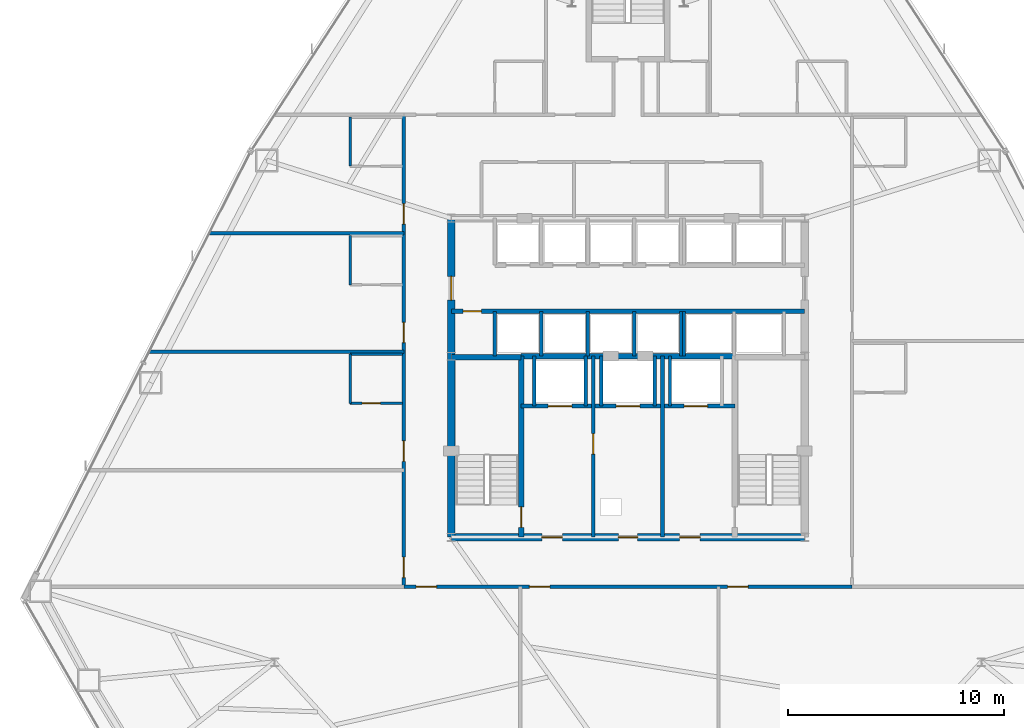
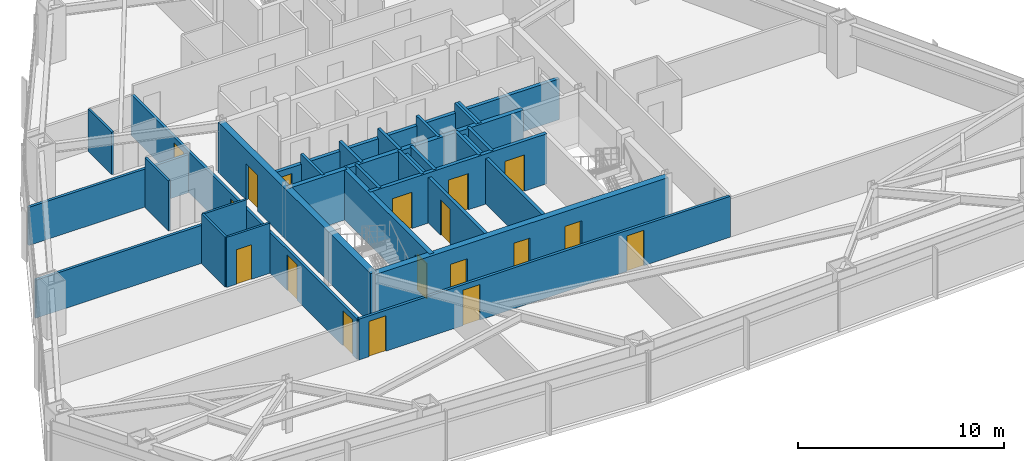
# One storey, part 9 of 12: 29 walls, 18 doors, 18 openings.
"""IFC4 building model written with IfcOpenShell, lengths in metres."""

from ifc_helpers import new_model, si_unit, direction, frame, frame_2d, origin, place, context, subcontext, project, spatial, rectangle, extrude, material, layer, layer_set, type_object, element, fill, save


model = new_model("IFC4")

# Units and contexts
model_context = context("Model", 3, precision=1e-05, world=origin(), true_north=direction((0.0, 1.0)))
body_context = subcontext(model_context, "Body", "Model", "MODEL_VIEW")
ifc_project = project(units=[si_unit("LENGTHUNIT", "METRE"), si_unit("AREAUNIT", "SQUARE_METRE"), si_unit("VOLUMEUNIT", "CUBIC_METRE"), si_unit("PLANEANGLEUNIT", "RADIAN"), si_unit("MASSUNIT", "GRAM", prefix="KILO")], contexts=[model_context])

# Site, building, storey
site_placement = place(None, origin())
site = spatial("IfcSite", under=ifc_project, at=site_placement, CompositionType="ELEMENT")
building_placement = place(site_placement, origin())
building = spatial("IfcBuilding", under=site, at=building_placement, Name="Varakhsha Concourse Tower", CompositionType="ELEMENT")
storey_placement = place(building_placement, frame((0.0, 0.0, 73.39990234375)))
storey = spatial("IfcBuildingStorey", under=building, at=storey_placement, Name="L20", CompositionType="ELEMENT", Elevation=73.39990234375)

# Wall, openings, doors
ifc_material_1 = material(Name="Concrete fc 65 MPa", Category="concrete")
ifc_layer_1 = layer(ifc_material_1, 0.35009765625, Name="WL-CORE-350")
ifc_layer_set_1 = layer_set([ifc_layer_1], Name="Concrete fc 65 MPa")
wall_type_1 = type_object("IfcWallType", Name="WL-CORE-350", PredefinedType="SHEAR", material=ifc_layer_set_1)
wall_1_placement = place(storey_placement, frame((31.800048828125, 16.39990234375, 0.0), z_axis=(0.0, 0.0, 1.0), x_axis=(1.0, 0.0, 0.0)))
wall_1 = element("IfcWall", 1, at=wall_1_placement, inside=storey, type_object=wall_type_1, Name="L20 Wall CWALL-S-L20", PredefinedType="SHEAR", context=body_context, shape_type="SweptSolid", body=[
    extrude(rectangle(XDim=16.39990234375, YDim=0.35009765625, at=frame_2d((8.199951171875, 0.0))), origin(), (0.0, 0.0, 1.0), 2.97021484375),
])
opening_1_placement = place(wall_1_placement, frame((7.75, 0.0, 0.0)))
opening_1 = element("IfcOpeningElement", 2, at=opening_1_placement, cuts=wall_1, Name="Opening DF-06", PredefinedType="OPENING", context=body_context, shape_type="SweptSolid", body=[
    extrude(rectangle(XDim=0.89990234375, YDim=2.10009765625, at=frame_2d((0.449951171875, 1.050048828125))), frame((0.0, 0.18505859375, 0.0), z_axis=(0.0, -1.0, 0.0), x_axis=(1.0, 0.0, 0.0)), (0.0, 0.0, 1.0), 0.3701171875),
])
opening_2_placement = place(wall_1_placement, frame((4.199951171875, 0.0, 0.0)))
opening_2 = element("IfcOpeningElement", 3, at=opening_2_placement, cuts=wall_1, Name="Opening DF-05", PredefinedType="OPENING", context=body_context, shape_type="SweptSolid", body=[
    extrude(rectangle(XDim=0.949951171875, YDim=2.10009765625, at=frame_2d((0.47509765625, 1.050048828125))), frame((0.0, 0.18505859375, 0.0), z_axis=(0.0, -1.0, 0.0), x_axis=(1.0, 0.0, 0.0)), (0.0, 0.0, 1.0), 0.3701171875),
])
opening_3_placement = place(wall_1_placement, frame((10.60009765625, 0.0, 0.0)))
opening_3 = element("IfcOpeningElement", 4, at=opening_3_placement, cuts=wall_1, Name="Opening DF-05", PredefinedType="OPENING", context=body_context, shape_type="SweptSolid", body=[
    extrude(rectangle(XDim=0.949951171875, YDim=2.10009765625, at=frame_2d((0.47509765625, 1.050048828125))), frame((0.0, 0.18505859375, 0.0), z_axis=(0.0, -1.0, 0.0), x_axis=(1.0, 0.0, 0.0)), (0.0, 0.0, 1.0), 0.3701171875),
])
ifc_material_2 = material(Name="Hollow Galvanised Steel Fire Door Assembly", Category="steel")
door_type_1 = type_object("IfcDoorType", Name="DR-FD60-900", OperationType="NOTDEFINED", PredefinedType="DOOR", material=ifc_material_2)
door_1_placement = place(opening_1_placement, origin())
door_1 = element("IfcDoor", 5, at=door_1_placement, inside=storey, type_object=door_type_1, Name="L20 Service Riser Vestibule Door", OperationType="SINGLE_SWING_LEFT", OverallHeight=2.10009765625, OverallWidth=0.89990234375, PredefinedType="DOOR", context=body_context, shape_type="SweptSolid", body=[
    extrude(rectangle(XDim=0.89990234375, YDim=2.10009765625, at=frame_2d((0.449951171875, 1.050048828125))), frame((0.0, 0.02490234375, 0.0), z_axis=(0.0, -1.0, 0.0), x_axis=(1.0, 0.0, 0.0)), (0.0, 0.0, 1.0), 0.050048828125),
])
fill(opening_1, door_1)
door_type_2 = type_object("IfcDoorType", Name="DR-FD60-950", OperationType="NOTDEFINED", PredefinedType="DOOR", material=ifc_material_2)
door_2_placement = place(opening_2_placement, origin())
door_2 = element("IfcDoor", 6, at=door_2_placement, inside=storey, type_object=door_type_2, Name="L20 Firefighting Lobby West Door", OperationType="SINGLE_SWING_RIGHT", OverallHeight=2.10009765625, OverallWidth=0.949951171875, PredefinedType="DOOR", context=body_context, shape_type="SweptSolid", body=[
    extrude(rectangle(XDim=0.949951171875, YDim=2.10009765625, at=frame_2d((0.47509765625, 1.050048828125))), frame((0.0, 0.02490234375, 0.0), z_axis=(0.0, -1.0, 0.0), x_axis=(1.0, 0.0, 0.0)), (0.0, 0.0, 1.0), 0.050048828125),
])
fill(opening_2, door_2)
door_3_placement = place(opening_3_placement, origin())
door_3 = element("IfcDoor", 7, at=door_3_placement, inside=storey, type_object=door_type_2, Name="L20 Firefighting Lobby East Door", OperationType="SINGLE_SWING_LEFT", OverallHeight=2.10009765625, OverallWidth=0.949951171875, PredefinedType="DOOR", context=body_context, shape_type="SweptSolid", body=[
    extrude(rectangle(XDim=0.949951171875, YDim=2.10009765625, at=frame_2d((0.47509765625, 1.050048828125))), frame((0.0, 0.02490234375, 0.0), z_axis=(0.0, -1.0, 0.0), x_axis=(1.0, 0.0, 0.0)), (0.0, 0.0, 1.0), 0.050048828125),
])
fill(opening_3, door_3)

# Wall, opening, door
wall_2_placement = place(storey_placement, frame((31.800048828125, 16.39990234375, 0.0), z_axis=(0.0, 0.0, 1.0), x_axis=(0.0, 1.0, 0.0)))
wall_2 = element("IfcWall", 8, at=wall_2_placement, inside=storey, type_object=wall_type_1, Name="L20 Wall CWALL-W-L20", PredefinedType="SHEAR", context=body_context, shape_type="SweptSolid", body=[
    extrude(rectangle(XDim=14.800048828125, YDim=0.35009765625, at=frame_2d((7.39990234375, 0.0))), origin(), (0.0, 0.0, 1.0), 2.97021484375),
])
opening_4_placement = place(wall_2_placement, frame((11.0, 0.0, 0.0)))
opening_4 = element("IfcOpeningElement", 9, at=opening_4_placement, cuts=wall_2, Name="Opening DL-01", PredefinedType="OPENING", context=body_context, shape_type="SweptSolid", body=[
    extrude(rectangle(XDim=1.10009765625, YDim=2.14990234375, at=frame_2d((0.550048828125, 1.074951171875))), frame((0.0, 0.18505859375, 0.0), z_axis=(0.0, -1.0, 0.0), x_axis=(1.0, 0.0, 0.0)), (0.0, 0.0, 1.0), 0.3701171875),
])
ifc_material_3 = material(Name="Anodised Bronze Architectural Aluminium AA 6063-T6", Category="aluminium")
door_type_3 = type_object("IfcDoorType", Name="DR-LOB-1100", OperationType="NOTDEFINED", PredefinedType="DOOR", material=ifc_material_3)
door_4_placement = place(opening_4_placement, origin())
door_4 = element("IfcDoor", 10, at=door_4_placement, inside=storey, type_object=door_type_3, Name="L20 Lift Lobby West Concourse Door", OperationType="SINGLE_SWING_LEFT", OverallHeight=2.14990234375, OverallWidth=1.10009765625, PredefinedType="DOOR", context=body_context, shape_type="SweptSolid", body=[
    extrude(rectangle(XDim=1.10009765625, YDim=2.14990234375, at=frame_2d((0.550048828125, 1.074951171875))), frame((0.0, 0.02490234375, 0.0), z_axis=(0.0, -1.0, 0.0), x_axis=(1.0, 0.0, 0.0)), (0.0, 0.0, 1.0), 0.050048828125),
])
fill(opening_4, door_4)

ifc_material_4 = material(Name="Fire-Rated Type X Gypsum Partition Assembly", Category="gypsum")
ifc_layer_2 = layer(ifc_material_4, 0.179931640625, Name="WL-FFLOB-180")
ifc_layer_set_2 = layer_set([ifc_layer_2], Name="Fire-Rated Type X Gypsum Partition Assembly")
wall_type_2 = type_object("IfcWallType", Name="WL-FFLOB-180", PredefinedType="PARTITIONING", material=ifc_layer_set_2)
wall_3_placement = place(storey_placement, frame((38.389892578125, 16.39990234375, 0.0), z_axis=(0.0, 0.0, 1.0), x_axis=(0.0, 1.0, 0.0)))
wall_3 = element("IfcWall", 11, at=wall_3_placement, inside=storey, type_object=wall_type_2, Name="L20 Wall FFW-1E-L20", PredefinedType="PARTITIONING", context=body_context, shape_type="SweptSolid", body=[
    extrude(rectangle(XDim=8.400146484375, YDim=0.179931640625, at=frame_2d((4.2001953125, 0.0))), origin(), (0.0, 0.0, 1.0), 2.697998046875),
])
opening_5_placement = place(wall_3_placement, frame((3.85009765625, 0.0, 0.0)))
opening_5 = element("IfcOpeningElement", 12, at=opening_5_placement, cuts=wall_3, Name="Opening DF-05", PredefinedType="OPENING", context=body_context, shape_type="SweptSolid", body=[
    extrude(rectangle(XDim=0.949951171875, YDim=2.10009765625, at=frame_2d((0.47509765625, 1.050048828125))), frame((0.0, 0.099853515625, 0.0), z_axis=(0.0, -1.0, 0.0), x_axis=(1.0, 0.0, 0.0)), (0.0, 0.0, 1.0), 0.199951171875),
])
door_5_placement = place(opening_5_placement, origin())
door_5 = element("IfcDoor", 13, at=door_5_placement, inside=storey, type_object=door_type_2, Name="L20 Service Vestibule Door", OperationType="SINGLE_SWING_RIGHT", OverallHeight=2.10009765625, OverallWidth=0.949951171875, PredefinedType="DOOR", context=body_context, shape_type="SweptSolid", body=[
    extrude(rectangle(XDim=0.949951171875, YDim=2.10009765625, at=frame_2d((0.47509765625, 1.050048828125))), frame((0.0, 0.02490234375, 0.0), z_axis=(0.0, -1.0, 0.0), x_axis=(1.0, 0.0, 0.0)), (0.0, 0.0, 1.0), 0.050048828125),
])
fill(opening_5, door_5)

# Walls
wall_4_placement = place(storey_placement, frame((41.610107421875, 16.39990234375, 0.0), z_axis=(0.0, 0.0, 1.0), x_axis=(0.0, 1.0, 0.0)))
element("IfcWall", 14, at=wall_4_placement, inside=storey, type_object=wall_type_2, Name="L20 Wall FFW-2W-L20", PredefinedType="PARTITIONING", context=body_context, shape_type="SweptSolid", body=[
    extrude(rectangle(XDim=8.400146484375, YDim=0.179931640625, at=frame_2d((4.2001953125, 0.0))), origin(), (0.0, 0.0, 1.0), 2.697998046875),
])
ifc_material_5 = material(Name="Acoustic Gypsum Board Partition Assembly", Category="gypsum")
ifc_layer_3 = layer(ifc_material_5, 0.1201171875, Name="WL-PART-120")
ifc_layer_set_3 = layer_set([ifc_layer_3], Name="Acoustic Gypsum Board Partition Assembly")
wall_type_3 = type_object("IfcWallType", Name="WL-PART-120", PredefinedType="PARTITIONING", material=ifc_layer_set_3)
wall_5_placement = place(storey_placement, frame((27.110107421875, 22.610107421875, 0.0), z_axis=(0.0, 0.0, 1.0), x_axis=(0.0, 1.0, 0.0)))
element("IfcWall", 15, at=wall_5_placement, inside=storey, type_object=wall_type_3, Name="L20 Wall ENSW-W-L20-H05", PredefinedType="PARTITIONING", context=body_context, shape_type="SweptSolid", body=[
    extrude(rectangle(XDim=2.27978515625, YDim=0.1201171875, at=frame_2d((1.139892578125, 0.0))), origin(), (0.0, 0.0, 1.0), 2.97021484375),
])

# Wall, opening, door
wall_6_placement = place(storey_placement, frame((27.110107421875, 22.610107421875, 0.0), z_axis=(0.0, 0.0, 1.0), x_axis=(1.0, 0.0, 0.0)))
wall_6 = element("IfcWall", 16, at=wall_6_placement, inside=storey, type_object=wall_type_3, Name="L20 Wall ENSW-S-L20-H05", PredefinedType="PARTITIONING", context=body_context, shape_type="SweptSolid", body=[
    extrude(rectangle(XDim=2.429931640625, YDim=0.1201171875, at=frame_2d((1.21484375, 0.0))), origin(), (0.0, 0.0, 1.0), 2.97021484375),
])
opening_6_placement = place(wall_6_placement, frame((0.550048828125, 0.0, 0.0)))
opening_6 = element("IfcOpeningElement", 17, at=opening_6_placement, cuts=wall_6, Name="Opening DI-01", PredefinedType="OPENING", context=body_context, shape_type="SweptSolid", body=[
    extrude(rectangle(XDim=0.85009765625, YDim=2.050048828125, at=frame_2d((0.425048828125, 1.02490234375))), frame((0.0, 0.070068359375, 0.0), z_axis=(0.0, -1.0, 0.0), x_axis=(1.0, 0.0, 0.0)), (0.0, 0.0, 1.0), 0.14013671875),
])
ifc_material_6 = material(Name="Architectural Walnut Acoustic Timber Door", Category="wood")
door_type_4 = type_object("IfcDoorType", Name="DR-INT-850", OperationType="NOTDEFINED", PredefinedType="DOOR", material=ifc_material_6)
door_6_placement = place(opening_6_placement, origin())
door_6 = element("IfcDoor", 18, at=door_6_placement, inside=storey, type_object=door_type_4, Name="L20 En-suite Bathroom Door L20-H05", OperationType="SINGLE_SWING_RIGHT", OverallHeight=2.050048828125, OverallWidth=0.85009765625, PredefinedType="DOOR", context=body_context, shape_type="SweptSolid", body=[
    extrude(rectangle(XDim=0.85009765625, YDim=2.050048828125, at=frame_2d((0.425048828125, 1.02490234375))), frame((0.0, 0.02490234375, 0.0), z_axis=(0.0, -1.0, 0.0), x_axis=(1.0, 0.0, 0.0)), (0.0, 0.0, 1.0), 0.050048828125),
])
fill(opening_6, door_6)

# Walls
wall_7_placement = place(storey_placement, frame((27.110107421875, 24.889892578125, 0.0), z_axis=(0.0, 0.0, 1.0), x_axis=(1.0, 0.0, 0.0)))
element("IfcWall", 19, at=wall_7_placement, inside=storey, type_object=wall_type_3, Name="L20 Wall ENSW-N-L20-H05", PredefinedType="PARTITIONING", context=body_context, shape_type="SweptSolid", body=[
    extrude(rectangle(XDim=2.429931640625, YDim=0.1201171875, at=frame_2d((1.21484375, 0.0))), origin(), (0.0, 0.0, 1.0), 2.97021484375),
])
wall_8_placement = place(storey_placement, frame((27.110107421875, 28.110107421875, 0.0), z_axis=(0.0, 0.0, 1.0), x_axis=(0.0, 1.0, 0.0)))
element("IfcWall", 20, at=wall_8_placement, inside=storey, type_object=wall_type_3, Name="L20 Wall ENSW-W-L20-H06", PredefinedType="PARTITIONING", context=body_context, shape_type="SweptSolid", body=[
    extrude(rectangle(XDim=2.27978515625, YDim=0.1201171875, at=frame_2d((1.139892578125, 0.0))), origin(), (0.0, 0.0, 1.0), 2.97021484375),
])
wall_9_placement = place(storey_placement, frame((27.110107421875, 33.610107421875, 0.0), z_axis=(0.0, 0.0, 1.0), x_axis=(0.0, 1.0, 0.0)))
element("IfcWall", 21, at=wall_9_placement, inside=storey, type_object=wall_type_3, Name="L20 Wall ENSW-W-L20-H07", PredefinedType="PARTITIONING", context=body_context, shape_type="SweptSolid", body=[
    extrude(rectangle(XDim=2.27978515625, YDim=0.1201171875, at=frame_2d((1.139892578125, 0.0))), origin(), (0.0, 0.0, 1.0), 2.503173828125),
])

# Wall, openings, doors
ifc_layer_4 = layer(ifc_material_4, 0.14990234375, Name="WL-PART-150")
ifc_layer_set_4 = layer_set([ifc_layer_4], Name="Fire-Rated Type X Gypsum Partition Assembly")
wall_type_4 = type_object("IfcWallType", Name="WL-PART-150", PredefinedType="PARTITIONING", material=ifc_layer_set_4)
wall_10_placement = place(storey_placement, frame((29.60009765625, 14.10009765625, 0.0), z_axis=(0.0, 0.0, 1.0), x_axis=(1.0, 0.0, 0.0)))
wall_10 = element("IfcWall", 22, at=wall_10_placement, inside=storey, type_object=wall_type_4, Name="L20 Wall CRW-S-L20", PredefinedType="PARTITIONING", context=body_context, shape_type="SweptSolid", body=[
    extrude(rectangle(XDim=20.7998046875, YDim=0.14990234375, at=frame_2d((10.39990234375, 0.0))), origin(), (0.0, 0.0, 1.0), 2.421142578125),
])
opening_7_placement = place(wall_10_placement, frame((0.570068359375, 0.0, 0.0)))
opening_7 = element("IfcOpeningElement", 23, at=opening_7_placement, cuts=wall_10, Name="Opening DF-05", PredefinedType="OPENING", context=body_context, shape_type="SweptSolid", body=[
    extrude(rectangle(XDim=0.949951171875, YDim=2.10009765625, at=frame_2d((0.47509765625, 1.050048828125))), frame((0.0, 0.0849609375, 0.0), z_axis=(0.0, -1.0, 0.0), x_axis=(1.0, 0.0, 0.0)), (0.0, 0.0, 1.0), 0.169921875),
])
opening_8_placement = place(wall_10_placement, frame((5.820068359375, 0.0, 0.0)))
opening_8 = element("IfcOpeningElement", 24, at=opening_8_placement, cuts=wall_10, Name="Opening DF-05", PredefinedType="OPENING", context=body_context, shape_type="SweptSolid", body=[
    extrude(rectangle(XDim=0.949951171875, YDim=2.10009765625, at=frame_2d((0.47509765625, 1.050048828125))), frame((0.0, 0.0849609375, 0.0), z_axis=(0.0, -1.0, 0.0), x_axis=(1.0, 0.0, 0.0)), (0.0, 0.0, 1.0), 0.169921875),
])
opening_9_placement = place(wall_10_placement, frame((15.02001953125, 0.0, 0.0)))
opening_9 = element("IfcOpeningElement", 25, at=opening_9_placement, cuts=wall_10, Name="Opening DF-05", PredefinedType="OPENING", context=body_context, shape_type="SweptSolid", body=[
    extrude(rectangle(XDim=0.949951171875, YDim=2.10009765625, at=frame_2d((0.47509765625, 1.050048828125))), frame((0.0, 0.0849609375, 0.0), z_axis=(0.0, -1.0, 0.0), x_axis=(1.0, 0.0, 0.0)), (0.0, 0.0, 1.0), 0.169921875),
])
door_7_placement = place(opening_7_placement, origin())
door_7 = element("IfcDoor", 26, at=door_7_placement, inside=storey, type_object=door_type_2, Name="L20 Hotel Executive Salon L20-H01 Door", OperationType="SINGLE_SWING_LEFT", OverallHeight=2.10009765625, OverallWidth=0.949951171875, PredefinedType="DOOR", context=body_context, shape_type="SweptSolid", body=[
    extrude(rectangle(XDim=0.949951171875, YDim=2.10009765625, at=frame_2d((0.47509765625, 1.050048828125))), frame((0.0, 0.02490234375, 0.0), z_axis=(0.0, -1.0, 0.0), x_axis=(1.0, 0.0, 0.0)), (0.0, 0.0, 1.0), 0.050048828125),
])
fill(opening_7, door_7)
door_8_placement = place(opening_8_placement, origin())
door_8 = element("IfcDoor", 27, at=door_8_placement, inside=storey, type_object=door_type_2, Name="L20 Hotel Fitness Studio L20-H02 Door", OperationType="SINGLE_SWING_RIGHT", OverallHeight=2.10009765625, OverallWidth=0.949951171875, PredefinedType="DOOR", context=body_context, shape_type="SweptSolid", body=[
    extrude(rectangle(XDim=0.949951171875, YDim=2.10009765625, at=frame_2d((0.47509765625, 1.050048828125))), frame((0.0, 0.02490234375, 0.0), z_axis=(0.0, -1.0, 0.0), x_axis=(1.0, 0.0, 0.0)), (0.0, 0.0, 1.0), 0.050048828125),
])
fill(opening_8, door_8)
door_9_placement = place(opening_9_placement, origin())
door_9 = element("IfcDoor", 28, at=door_9_placement, inside=storey, type_object=door_type_2, Name="L20 Hotel Executive Salon L20-H03 Door", OperationType="SINGLE_SWING_LEFT", OverallHeight=2.10009765625, OverallWidth=0.949951171875, PredefinedType="DOOR", context=body_context, shape_type="SweptSolid", body=[
    extrude(rectangle(XDim=0.949951171875, YDim=2.10009765625, at=frame_2d((0.47509765625, 1.050048828125))), frame((0.0, 0.02490234375, 0.0), z_axis=(0.0, -1.0, 0.0), x_axis=(1.0, 0.0, 0.0)), (0.0, 0.0, 1.0), 0.050048828125),
])
fill(opening_9, door_9)

wall_11_placement = place(storey_placement, frame((29.60009765625, 14.10009765625, 0.0), z_axis=(0.0, 0.0, 1.0), x_axis=(0.0, 1.0, 0.0)))
wall_11 = element("IfcWall", 29, at=wall_11_placement, inside=storey, type_object=wall_type_4, Name="L20 Wall CRW-W-L20", PredefinedType="PARTITIONING", context=body_context, shape_type="SweptSolid", body=[
    extrude(rectangle(XDim=21.89990234375, YDim=0.14990234375, at=frame_2d((10.949951171875, 0.0))), origin(), (0.0, 0.0, 1.0), 2.421142578125),
])
opening_10_placement = place(wall_11_placement, frame((0.419921875, 0.0, 0.0)))
opening_10 = element("IfcOpeningElement", 30, at=opening_10_placement, cuts=wall_11, Name="Opening DF-05", PredefinedType="OPENING", context=body_context, shape_type="SweptSolid", body=[
    extrude(rectangle(XDim=0.949951171875, YDim=2.10009765625, at=frame_2d((0.47509765625, 1.050048828125))), frame((0.0, 0.0849609375, 0.0), z_axis=(0.0, -1.0, 0.0), x_axis=(1.0, 0.0, 0.0)), (0.0, 0.0, 1.0), 0.169921875),
])
opening_11_placement = place(wall_11_placement, frame((5.820068359375, 0.0, 0.0)))
opening_11 = element("IfcOpeningElement", 31, at=opening_11_placement, cuts=wall_11, Name="Opening DF-05", PredefinedType="OPENING", context=body_context, shape_type="SweptSolid", body=[
    extrude(rectangle(XDim=0.949951171875, YDim=2.10009765625, at=frame_2d((0.47509765625, 1.050048828125))), frame((0.0, 0.0849609375, 0.0), z_axis=(0.0, -1.0, 0.0), x_axis=(1.0, 0.0, 0.0)), (0.0, 0.0, 1.0), 0.169921875),
])
opening_12_placement = place(wall_11_placement, frame((11.320068359375, 0.0, 0.0)))
opening_12 = element("IfcOpeningElement", 32, at=opening_12_placement, cuts=wall_11, Name="Opening DF-05", PredefinedType="OPENING", context=body_context, shape_type="SweptSolid", body=[
    extrude(rectangle(XDim=0.949951171875, YDim=2.10009765625, at=frame_2d((0.47509765625, 1.050048828125))), frame((0.0, 0.0849609375, 0.0), z_axis=(0.0, -1.0, 0.0), x_axis=(1.0, 0.0, 0.0)), (0.0, 0.0, 1.0), 0.169921875),
])
opening_13_placement = place(wall_11_placement, frame((16.820068359375, 0.0, 0.0)))
opening_13 = element("IfcOpeningElement", 33, at=opening_13_placement, cuts=wall_11, Name="Opening DF-05", PredefinedType="OPENING", context=body_context, shape_type="SweptSolid", body=[
    extrude(rectangle(XDim=0.949951171875, YDim=2.10009765625, at=frame_2d((0.47509765625, 1.050048828125))), frame((0.0, 0.0849609375, 0.0), z_axis=(0.0, -1.0, 0.0), x_axis=(1.0, 0.0, 0.0)), (0.0, 0.0, 1.0), 0.169921875),
])
door_10_placement = place(opening_10_placement, origin())
door_10 = element("IfcDoor", 34, at=door_10_placement, inside=storey, type_object=door_type_2, Name="L20 Hotel Fitness Studio L20-H04 Door", OperationType="SINGLE_SWING_RIGHT", OverallHeight=2.10009765625, OverallWidth=0.949951171875, PredefinedType="DOOR", context=body_context, shape_type="SweptSolid", body=[
    extrude(rectangle(XDim=0.949951171875, YDim=2.10009765625, at=frame_2d((0.47509765625, 1.050048828125))), frame((0.0, 0.02490234375, 0.0), z_axis=(0.0, -1.0, 0.0), x_axis=(1.0, 0.0, 0.0)), (0.0, 0.0, 1.0), 0.050048828125),
])
fill(opening_10, door_10)
door_11_placement = place(opening_11_placement, origin())
door_11 = element("IfcDoor", 35, at=door_11_placement, inside=storey, type_object=door_type_2, Name="L20 Hotel Corner Suite L20-H05 Entry Door", OperationType="SINGLE_SWING_LEFT", OverallHeight=2.10009765625, OverallWidth=0.949951171875, PredefinedType="DOOR", context=body_context, shape_type="SweptSolid", body=[
    extrude(rectangle(XDim=0.949951171875, YDim=2.10009765625, at=frame_2d((0.47509765625, 1.050048828125))), frame((0.0, 0.02490234375, 0.0), z_axis=(0.0, -1.0, 0.0), x_axis=(1.0, 0.0, 0.0)), (0.0, 0.0, 1.0), 0.050048828125),
])
fill(opening_11, door_11)
door_12_placement = place(opening_12_placement, origin())
door_12 = element("IfcDoor", 36, at=door_12_placement, inside=storey, type_object=door_type_2, Name="L20 Hotel Corner Suite L20-H06 Entry Door", OperationType="SINGLE_SWING_RIGHT", OverallHeight=2.10009765625, OverallWidth=0.949951171875, PredefinedType="DOOR", context=body_context, shape_type="SweptSolid", body=[
    extrude(rectangle(XDim=0.949951171875, YDim=2.10009765625, at=frame_2d((0.47509765625, 1.050048828125))), frame((0.0, 0.02490234375, 0.0), z_axis=(0.0, -1.0, 0.0), x_axis=(1.0, 0.0, 0.0)), (0.0, 0.0, 1.0), 0.050048828125),
])
fill(opening_12, door_12)
door_13_placement = place(opening_13_placement, origin())
door_13 = element("IfcDoor", 37, at=door_13_placement, inside=storey, type_object=door_type_2, Name="L20 Hotel Guest Room L20-H07 Entry Door", OperationType="SINGLE_SWING_LEFT", OverallHeight=2.10009765625, OverallWidth=0.949951171875, PredefinedType="DOOR", context=body_context, shape_type="SweptSolid", body=[
    extrude(rectangle(XDim=0.949951171875, YDim=2.10009765625, at=frame_2d((0.47509765625, 1.050048828125))), frame((0.0, 0.02490234375, 0.0), z_axis=(0.0, -1.0, 0.0), x_axis=(1.0, 0.0, 0.0)), (0.0, 0.0, 1.0), 0.050048828125),
])
fill(opening_13, door_13)

# Walls
wall_12_placement = place(storey_placement, frame((17.786865234375, 25.0, 0.0), z_axis=(0.0, 0.0, 1.0), x_axis=(1.0, 0.0, 0.0)))
element("IfcWall", 38, at=wall_12_placement, inside=storey, type_object=wall_type_4, Name="L20 Wall HDIV-W2-L20", PredefinedType="PARTITIONING", context=body_context, shape_type="SweptSolid", body=[
    extrude(rectangle(XDim=11.813232421875, YDim=0.14990234375, at=frame_2d((5.90673828125, 0.0))), origin(), (0.0, 0.0, 1.0), 2.258056640625),
])
wall_13_placement = place(storey_placement, frame((20.575927734375, 30.5, 0.0), z_axis=(0.0, 0.0, 1.0), x_axis=(1.0, 0.0, 0.0)))
element("IfcWall", 39, at=wall_13_placement, inside=storey, type_object=wall_type_4, Name="L20 Wall HDIV-W3-L20", PredefinedType="PARTITIONING", context=body_context, shape_type="SweptSolid", body=[
    extrude(rectangle(XDim=9.024169921875, YDim=0.14990234375, at=frame_2d((4.51220703125, 0.0))), origin(), (0.0, 0.0, 1.0), 2.258056640625),
])

# Wall, openings, doors
ifc_layer_5 = layer(ifc_material_4, 0.199951171875, Name="WL-SHAFT-220")
ifc_layer_set_5 = layer_set([ifc_layer_5], Name="Fire-Rated Type X Gypsum Partition Assembly")
wall_type_5 = type_object("IfcWallType", Name="WL-SHAFT-220", PredefinedType="SOLIDWALL", material=ifc_layer_set_5)
wall_14_placement = place(storey_placement, frame((35.044921875, 22.47998046875, 0.0), z_axis=(0.0, 0.0, 1.0), x_axis=(1.0, 0.0, 0.0)))
wall_14 = element("IfcWall", 40, at=wall_14_placement, inside=storey, type_object=wall_type_5, Name="L20 Wall FFW-NH-L20", PredefinedType="SOLIDWALL", context=body_context, shape_type="SweptSolid", body=[
    extrude(rectangle(XDim=9.91015625, YDim=0.199951171875, at=frame_2d((4.955078125, 0.0))), origin(), (0.0, 0.0, 1.0), 2.97021484375),
])
opening_14_placement = place(wall_14_placement, frame((1.2548828125, 0.0, 0.0)))
opening_14 = element("IfcOpeningElement", 41, at=opening_14_placement, cuts=wall_14, Name="Opening LD-FFL-1", PredefinedType="OPENING", context=body_context, shape_type="SweptSolid", body=[
    extrude(rectangle(XDim=1.10009765625, YDim=2.14990234375, at=frame_2d((0.550048828125, 1.074951171875))), frame((0.0, 0.10986328125, 0.0), z_axis=(0.0, -1.0, 0.0), x_axis=(1.0, 0.0, 0.0)), (0.0, 0.0, 1.0), 0.219970703125),
])
opening_15_placement = place(wall_14_placement, frame((7.554931640625, 0.0, 0.0)))
opening_15 = element("IfcOpeningElement", 42, at=opening_15_placement, cuts=wall_14, Name="Opening LD-FFL-2", PredefinedType="OPENING", context=body_context, shape_type="SweptSolid", body=[
    extrude(rectangle(XDim=1.10009765625, YDim=2.14990234375, at=frame_2d((0.550048828125, 1.074951171875))), frame((0.0, 0.10986328125, 0.0), z_axis=(0.0, -1.0, 0.0), x_axis=(1.0, 0.0, 0.0)), (0.0, 0.0, 1.0), 0.219970703125),
])
opening_16_placement = place(wall_14_placement, frame((4.405029296875, 0.0, 0.0)))
opening_16 = element("IfcOpeningElement", 43, at=opening_16_placement, cuts=wall_14, Name="Opening LD-SVL-1", PredefinedType="OPENING", context=body_context, shape_type="SweptSolid", body=[
    extrude(rectangle(XDim=1.10009765625, YDim=2.14990234375, at=frame_2d((0.550048828125, 1.074951171875))), frame((0.0, 0.10986328125, 0.0), z_axis=(0.0, -1.0, 0.0), x_axis=(1.0, 0.0, 0.0)), (0.0, 0.0, 1.0), 0.219970703125),
])
ifc_material_7 = material(Name="Brushed Austenitic Stainless Steel AISI 316", Category="steel")
door_type_5 = type_object("IfcDoorType", Name="DR-LD-1100", OperationType="DOUBLE_DOOR_SLIDING", PredefinedType="DOOR", material=ifc_material_7)
door_14_placement = place(opening_14_placement, origin())
door_14 = element("IfcDoor", 44, at=door_14_placement, inside=storey, type_object=door_type_5, Name="Lift Landing Door FFL-1 L20", OperationType="DOUBLE_DOOR_SLIDING", OverallHeight=2.14990234375, OverallWidth=1.10009765625, PredefinedType="DOOR", context=body_context, shape_type="SweptSolid", body=[
    extrude(rectangle(XDim=1.10009765625, YDim=2.14990234375, at=frame_2d((0.550048828125, 1.074951171875))), frame((0.0, 0.02490234375, 0.0), z_axis=(0.0, -1.0, 0.0), x_axis=(1.0, 0.0, 0.0)), (0.0, 0.0, 1.0), 0.050048828125),
])
fill(opening_14, door_14)
door_15_placement = place(opening_15_placement, origin())
door_15 = element("IfcDoor", 45, at=door_15_placement, inside=storey, type_object=door_type_5, Name="Lift Landing Door FFL-2 L20", OperationType="DOUBLE_DOOR_SLIDING", OverallHeight=2.14990234375, OverallWidth=1.10009765625, PredefinedType="DOOR", context=body_context, shape_type="SweptSolid", body=[
    extrude(rectangle(XDim=1.10009765625, YDim=2.14990234375, at=frame_2d((0.550048828125, 1.074951171875))), frame((0.0, 0.02490234375, 0.0), z_axis=(0.0, -1.0, 0.0), x_axis=(1.0, 0.0, 0.0)), (0.0, 0.0, 1.0), 0.050048828125),
])
fill(opening_15, door_15)
door_16_placement = place(opening_16_placement, origin())
door_16 = element("IfcDoor", 46, at=door_16_placement, inside=storey, type_object=door_type_5, Name="Lift Landing Door SVL-1 L20", OperationType="DOUBLE_DOOR_SLIDING", OverallHeight=2.14990234375, OverallWidth=1.10009765625, PredefinedType="DOOR", context=body_context, shape_type="SweptSolid", body=[
    extrude(rectangle(XDim=1.10009765625, YDim=2.14990234375, at=frame_2d((0.550048828125, 1.074951171875))), frame((0.0, 0.02490234375, 0.0), z_axis=(0.0, -1.0, 0.0), x_axis=(1.0, 0.0, 0.0)), (0.0, 0.0, 1.0), 0.050048828125),
])
fill(opening_16, door_16)

# Walls
for number, where, z_axis, x_axis, name in (
    (47, (35.64990234375, 22.47998046875, 0.0), (0.0, 0.0, 1.0), (0.0, 1.0, 0.0), "L20 Wall SHW-FFL-1-W-L20"),
    (48, (38.050048828125, 22.47998046875, 0.0), (0.0, 0.0, 1.0), (0.0, 1.0, 0.0), "L20 Wall SHW-FFL-1-E-L20"),
    (49, (41.949951171875, 22.47998046875, 0.0), (0.0, 0.0, 1.0), (0.0, 1.0, 0.0), "L20 Wall SHW-FFL-2-W-L20"),
    (50, (38.75, 22.47998046875, 0.0), (0.0, 0.0, 1.0), (0.0, 1.0, 0.0), "L20 Wall SHW-SVL-1-W-L20"),
    (51, (41.25, 22.47998046875, 0.0), (0.0, 0.0, 1.0), (0.0, 1.0, 0.0), "L20 Wall SHW-SVL-1-E-L20"),
):
    element("IfcWall", number, at=place(storey_placement, frame(where, z_axis=z_axis, x_axis=x_axis)), inside=storey, type_object=wall_type_5, Name=name, PredefinedType="SOLIDWALL", context=body_context, shape_type="SweptSolid", body=[
        extrude(rectangle(XDim=2.320068359375, YDim=0.159912109375, at=frame_2d((1.16015625, 0.0))), origin(), (0.0, 0.0, 1.0), 2.97021484375),
    ])

# Wall, opening, door
wall_15_placement = place(storey_placement, frame((31.800048828125, 26.8798828125, 0.0), z_axis=(0.0, 0.0, 1.0), x_axis=(1.0, 0.0, 0.0)))
wall_15 = element("IfcWall", 52, at=wall_15_placement, inside=storey, type_object=wall_type_5, Name="L20 Wall PLW-S-L20", PredefinedType="SOLIDWALL", context=body_context, shape_type="SweptSolid", body=[
    extrude(rectangle(XDim=16.39990234375, YDim=0.199951171875, at=frame_2d((8.199951171875, 0.0))), origin(), (0.0, 0.0, 1.0), 2.421142578125),
])
opening_17_placement = place(wall_15_placement, frame((0.550048828125, 0.0, 0.0)))
opening_17 = element("IfcOpeningElement", 53, at=opening_17_placement, cuts=wall_15, Name="Opening DF-07", PredefinedType="OPENING", context=body_context, shape_type="SweptSolid", body=[
    extrude(rectangle(XDim=0.85009765625, YDim=2.050048828125, at=frame_2d((0.425048828125, 1.02490234375))), frame((0.0, 0.10986328125, 0.0), z_axis=(0.0, -1.0, 0.0), x_axis=(1.0, 0.0, 0.0)), (0.0, 0.0, 1.0), 0.219970703125),
])
door_type_6 = type_object("IfcDoorType", Name="DR-FD60-850", OperationType="NOTDEFINED", PredefinedType="DOOR", material=ifc_material_2)
door_17_placement = place(opening_17_placement, origin())
door_17 = element("IfcDoor", 54, at=door_17_placement, inside=storey, type_object=door_type_6, Name="L20 Core Telecoms Closet Door", OperationType="SINGLE_SWING_RIGHT", OverallHeight=2.050048828125, OverallWidth=0.85009765625, PredefinedType="DOOR", context=body_context, shape_type="SweptSolid", body=[
    extrude(rectangle(XDim=0.85009765625, YDim=2.050048828125, at=frame_2d((0.425048828125, 1.02490234375))), frame((0.0, 0.02490234375, 0.0), z_axis=(0.0, -1.0, 0.0), x_axis=(1.0, 0.0, 0.0)), (0.0, 0.0, 1.0), 0.050048828125),
])
fill(opening_17, door_17)

# Walls
for number, where, z_axis, x_axis, name in (
    (55, (33.820068359375, 24.800048828125, 0.0), (0.0, 0.0, 1.0), (0.0, 1.0, 0.0), "L20 Wall WBOH-E2-L20"),
    (56, (35.97998046875, 24.800048828125, 0.0), (0.0, 0.0, 1.0), (0.0, 1.0, 0.0), "L20 Wall SHW-LF-P05-E-L20"),
    (57, (38.139892578125, 24.800048828125, 0.0), (0.0, 0.0, 1.0), (0.0, 1.0, 0.0), "L20 Wall SHW-LF-P06-E-L20"),
    (58, (40.300048828125, 24.800048828125, 0.0), (0.0, 0.0, 1.0), (0.0, 1.0, 0.0), "L20 Wall SHW-LF-P07-E-L20"),
    (59, (42.4599609375, 24.800048828125, 0.0), (0.0, 0.0, 1.0), (0.0, 1.0, 0.0), "L20 Wall SHW-LF-P08-E-L20"),
    (60, (42.60009765625, 24.800048828125, 0.0), (0.0, 0.0, 1.0), (0.0, 1.0, 0.0), "L20 Wall SHW-LF-P11-W-L20"),
):
    element("IfcWall", number, at=place(storey_placement, frame(where, z_axis=z_axis, x_axis=x_axis)), inside=storey, type_object=wall_type_5, Name=name, PredefinedType="SOLIDWALL", context=body_context, shape_type="SweptSolid", body=[
        extrude(rectangle(XDim=2.079833984375, YDim=0.159912109375, at=frame_2d((1.0400390625, 0.0))), origin(), (0.0, 0.0, 1.0), 2.97021484375),
    ])

# Wall, opening, door
ifc_material_8 = material(Name="Concrete fc 45 MPa", Category="concrete")
ifc_layer_6 = layer(ifc_material_8, 0.25, Name="WL-STAIR-250")
ifc_layer_set_6 = layer_set([ifc_layer_6], Name="Concrete fc 45 MPa")
wall_type_6 = type_object("IfcWallType", Name="WL-STAIR-250", PredefinedType="SHEAR", material=ifc_layer_set_6)
wall_16_placement = place(storey_placement, frame((35.044921875, 16.39990234375, 0.0), z_axis=(0.0, 0.0, 1.0), x_axis=(0.0, 1.0, 0.0)))
wall_16 = element("IfcWall", 61, at=wall_16_placement, inside=storey, type_object=wall_type_6, Name="L20 Wall SWALL-ST1-E-L20", PredefinedType="SHEAR", context=body_context, shape_type="SweptSolid", body=[
    extrude(rectangle(XDim=8.400146484375, YDim=0.25, at=frame_2d((4.2001953125, 0.0))), origin(), (0.0, 0.0, 1.0), 2.97021484375),
])
opening_18_placement = place(wall_16_placement, frame((0.449951171875, 0.0, 0.0)))
opening_18 = element("IfcOpeningElement", 62, at=opening_18_placement, cuts=wall_16, Name="Opening DF-03", PredefinedType="OPENING", context=body_context, shape_type="SweptSolid", body=[
    extrude(rectangle(XDim=0.949951171875, YDim=2.10009765625, at=frame_2d((0.47509765625, 1.050048828125))), frame((0.0, 0.135009765625, 0.0), z_axis=(0.0, -1.0, 0.0), x_axis=(1.0, 0.0, 0.0)), (0.0, 0.0, 1.0), 0.27001953125),
])
door_type_7 = type_object("IfcDoorType", Name="DR-FD90-950", OperationType="NOTDEFINED", PredefinedType="DOOR", material=ifc_material_2)
door_18_placement = place(opening_18_placement, origin())
door_18 = element("IfcDoor", 63, at=door_18_placement, inside=storey, type_object=door_type_7, Name="L20 Stair ST1 Fire Door", OperationType="SINGLE_SWING_LEFT", OverallHeight=2.10009765625, OverallWidth=0.949951171875, PredefinedType="DOOR", context=body_context, shape_type="SweptSolid", body=[
    extrude(rectangle(XDim=0.949951171875, YDim=2.10009765625, at=frame_2d((0.47509765625, 1.050048828125))), frame((0.0, 0.02490234375, 0.0), z_axis=(0.0, -1.0, 0.0), x_axis=(1.0, 0.0, 0.0)), (0.0, 0.0, 1.0), 0.050048828125),
])
fill(opening_18, door_18)

# Walls
wall_17_placement = place(storey_placement, frame((31.800048828125, 24.7548828125, 0.0), z_axis=(0.0, 0.0, 1.0), x_axis=(1.0, 0.0, 0.0)))
element("IfcWall", 64, at=wall_17_placement, inside=storey, type_object=wall_type_6, Name="L20 Wall SWALL-ST1-N-L20", PredefinedType="SHEAR", context=body_context, shape_type="SweptSolid", body=[
    extrude(rectangle(XDim=3.244873046875, YDim=0.25, at=frame_2d((1.62255859375, 0.0))), origin(), (0.0, 0.0, 1.0), 2.97021484375),
])
wall_18_placement = place(storey_placement, frame((35.044921875, 24.800048828125, 0.0), z_axis=(0.0, 0.0, 1.0), x_axis=(1.0, 0.0, 0.0)))
element("IfcWall", 65, at=wall_18_placement, inside=storey, type_object=wall_type_6, Name="L20 Wall SWALL-MID-H-L20", PredefinedType="SHEAR", context=body_context, shape_type="SweptSolid", body=[
    extrude(rectangle(XDim=9.91015625, YDim=0.25, at=frame_2d((4.955078125, 0.0))), origin(), (0.0, 0.0, 1.0), 2.97021484375),
])

save(model, "model.ifc")
